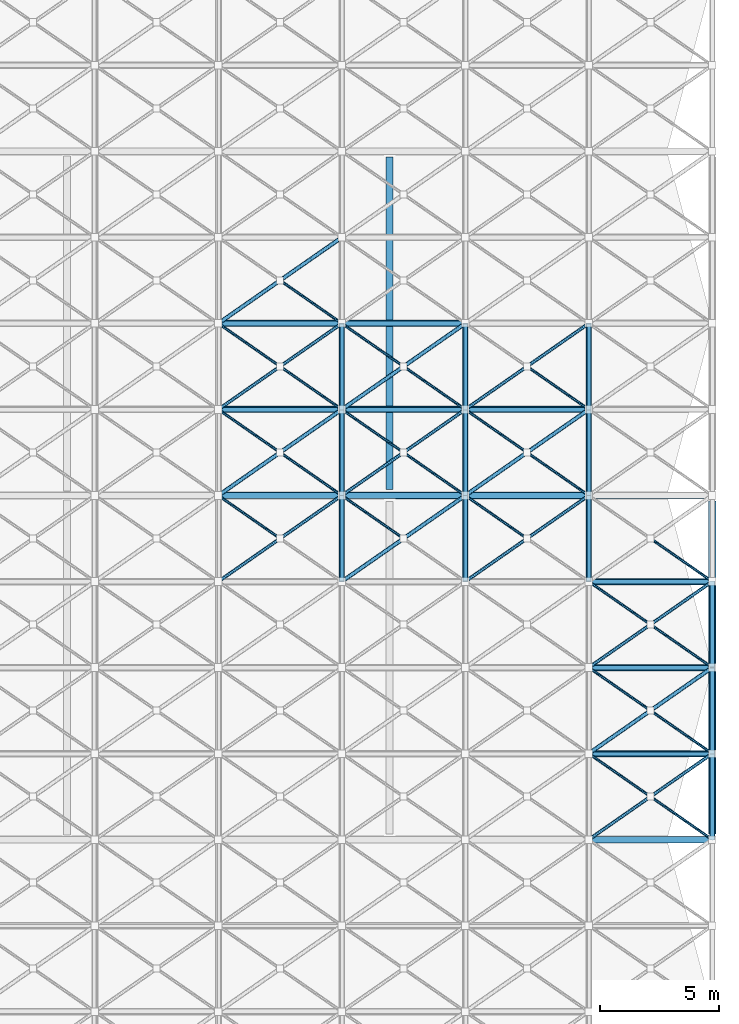
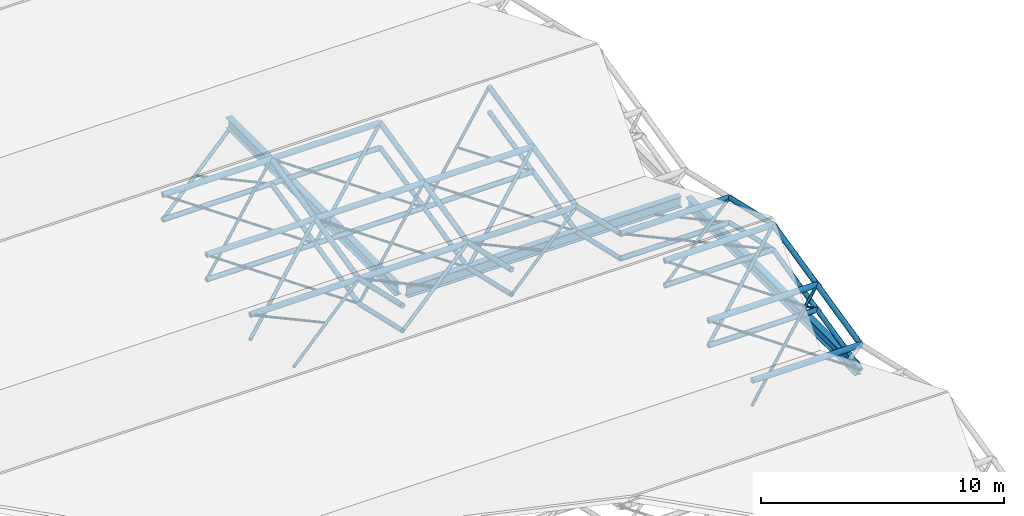
# One storey, part 44 of 110: 79 members, 3 beams.
"""IFC4 building model written with IfcOpenShell, lengths in metres."""

from ifc_helpers import new_model, si_unit, direction, frame, origin, origin_2d, place, context, subcontext, project, spatial, hollow_circle, i_section, extrude, material, material_profile, profile_set, type_object, element, save


model = new_model("IFC4")

# Units and contexts
model_context = context("Model", 3, precision=1e-05, world=origin(), true_north=direction((0.0, 1.0)))
body_context = subcontext(model_context, "Body", "Model", "MODEL_VIEW")
ifc_project = project(units=[si_unit("LENGTHUNIT", "METRE"), si_unit("AREAUNIT", "SQUARE_METRE"), si_unit("VOLUMEUNIT", "CUBIC_METRE"), si_unit("PLANEANGLEUNIT", "RADIAN"), si_unit("MASSUNIT", "GRAM", prefix="KILO")], contexts=[model_context])

# Site, building, storey
site_placement = place(None, origin())
site = spatial("IfcSite", under=ifc_project, at=site_placement, CompositionType="ELEMENT")
building_placement = place(site_placement, origin())
building = spatial("IfcBuilding", under=site, at=building_placement, Name="Tamarisk Ironworks Central Station", CompositionType="ELEMENT")
storey_placement = place(building_placement, frame((0.0, 0.0, 17.39990234375)))
storey = spatial("IfcBuildingStorey", under=building, at=storey_placement, Name="L03", CompositionType="ELEMENT", Elevation=17.39990234375)

# Beams
ifc_material_1 = material(Name="Structural steel S355J2", Category="steel")
ifc_material_profile_1 = material_profile(ifc_material_1, i_section(OverallWidth=0.300048828125, OverallDepth=0.5400390625, WebThickness=0.012451171875, FlangeThickness=0.02392578125, at=origin_2d()), Name="HEA 550")
ifc_profile_set_1 = profile_set([ifc_material_profile_1], Name="Structural steel S355J2")
beam_type = type_object("IfcBeamType", Name="BM-G04", PredefinedType="BEAM", material=ifc_profile_set_1)
beam_1_placement = place(storey_placement, frame((166.741943359375, 50.39990234375, -1.869873046875), z_axis=(1.0, 0.0, 0.0), x_axis=(0.0, 1.0, 0.0)))
element("IfcBeam", 1, at=beam_1_placement, inside=storey, type_object=beam_type, Name="L03 primary girder X-0566", PredefinedType="BEAM", context=body_context, shape_type="SweptSolid", body=[
    extrude(i_section(OverallWidth=0.300048828125, OverallDepth=0.5400390625, WebThickness=0.012451171875, FlangeThickness=0.02392578125, at=origin_2d()), origin(), (0.0, 0.0, 1.0), 13.02001953125),
])
beam_2_placement = place(storey_placement, frame((166.5, 50.64208984375, -1.869873046875), z_axis=(0.0, 1.0, 0.0), x_axis=(-1.0, 0.0, 0.0)))
element("IfcBeam", 2, at=beam_2_placement, inside=storey, type_object=beam_type, Name="L03 primary girder Y-0619", PredefinedType="BEAM", context=body_context, shape_type="SweptSolid", body=[
    extrude(i_section(OverallWidth=0.300048828125, OverallDepth=0.5400390625, WebThickness=0.012451171875, FlangeThickness=0.02392578125, at=origin_2d()), origin(), (0.0, 0.0, 1.0), 13.916015625),
])
beam_3_placement = place(storey_placement, frame((180.0, 36.238037109375, -1.869873046875), z_axis=(0.0, 1.0, 0.0), x_axis=(-1.0, 0.0, 0.0)))
element("IfcBeam", 3, at=beam_3_placement, inside=storey, type_object=beam_type, Name="L03 primary girder Y-0620", PredefinedType="BEAM", context=body_context, shape_type="SweptSolid", body=[
    extrude(i_section(OverallWidth=0.300048828125, OverallDepth=0.5400390625, WebThickness=0.012451171875, FlangeThickness=0.02392578125, at=origin_2d()), origin(), (0.0, 0.0, 1.0), 13.924072265625),
])

# Members
ifc_material_2 = material(Name="Structural steel S355J2H", Category="steel")
ifc_material_profile_2 = material_profile(ifc_material_2, hollow_circle(Radius=0.136474609375, WallThickness=0.012451171875, at=origin_2d()), Name="CHS 273x12.5")
ifc_profile_set_2 = profile_set([ifc_material_profile_2], Name="Structural steel S355J2H")
member_type_1 = type_object("IfcMemberType", Name="MB-SFC01", PredefinedType="CHORD", material=ifc_profile_set_2)
for number, where, z_axis, x_axis, name in (
    (4, (174.833251953125, 36.0, -0.469970703125), (1.0, 0.0, 0.0), (0.0, 1.0, 0.0), "Train shed space-frame top chord 1110"),
    (5, (174.833251953125, 39.60009765625, 0.35498046875), (1.0, 0.0, 0.0), (0.0, 1.0, 0.0), "Train shed space-frame top chord 1358"),
    (6, (174.833251953125, 43.199951171875, 1.18017578125), (1.0, 0.0, 0.0), (0.0, 1.0, 0.0), "Train shed space-frame top chord 1370"),
    (7, (174.833251953125, 46.800048828125, 0.35498046875), (1.0, 0.0, 0.0), (0.0, 1.0, 0.0), "Train shed space-frame top chord 1382"),
    (8, (159.333251953125, 50.39990234375, -0.469970703125), (1.0, 0.0, 0.0), (0.0, 1.0, 0.0), "Train shed space-frame top chord 1391"),
    (9, (164.5, 50.39990234375, -0.469970703125), (1.0, 0.0, 0.0), (0.0, 1.0, 0.0), "Train shed space-frame top chord 1392"),
):
    element("IfcMember", number, at=place(storey_placement, frame(where, z_axis=z_axis, x_axis=x_axis)), inside=storey, type_object=member_type_1, Name=name, PredefinedType="CHORD", context=body_context, shape_type="SweptSolid", body=[
        extrude(hollow_circle(Radius=0.136474609375, WallThickness=0.012451171875, at=origin_2d()), origin(), (0.0, 0.0, 1.0), 5.166748046875),
    ])
member_1_placement = place(storey_placement, frame((169.666748046875, 50.39990234375, -0.469970703125), z_axis=(1.0, 0.0, 0.0), x_axis=(0.0, 1.0, 0.0)))
element("IfcMember", 10, at=member_1_placement, inside=storey, type_object=member_type_1, Name="Train shed space-frame top chord 1393", PredefinedType="CHORD", context=body_context, shape_type="SweptSolid", body=[
    extrude(hollow_circle(Radius=0.136474609375, WallThickness=0.012451171875, at=origin_2d()), origin(), (0.0, 0.0, 1.0), 5.16650390625),
])
for number, where, z_axis, x_axis, name in (
    (11, (159.333251953125, 54.0, 0.35498046875), (1.0, 0.0, 0.0), (0.0, 1.0, 0.0), "Train shed space-frame top chord 1639"),
    (12, (164.5, 54.0, 0.35498046875), (1.0, 0.0, 0.0), (0.0, 1.0, 0.0), "Train shed space-frame top chord 1640"),
):
    element("IfcMember", number, at=place(storey_placement, frame(where, z_axis=z_axis, x_axis=x_axis)), inside=storey, type_object=member_type_1, Name=name, PredefinedType="CHORD", context=body_context, shape_type="SweptSolid", body=[
        extrude(hollow_circle(Radius=0.136474609375, WallThickness=0.012451171875, at=origin_2d()), origin(), (0.0, 0.0, 1.0), 5.166748046875),
    ])
member_2_placement = place(storey_placement, frame((169.666748046875, 54.0, 0.35498046875), z_axis=(1.0, 0.0, 0.0), x_axis=(0.0, 1.0, 0.0)))
element("IfcMember", 13, at=member_2_placement, inside=storey, type_object=member_type_1, Name="Train shed space-frame top chord 1641", PredefinedType="CHORD", context=body_context, shape_type="SweptSolid", body=[
    extrude(hollow_circle(Radius=0.136474609375, WallThickness=0.012451171875, at=origin_2d()), origin(), (0.0, 0.0, 1.0), 5.16650390625),
])
for number, where, z_axis, x_axis, name in (
    (14, (159.333251953125, 57.60009765625, 1.18017578125), (1.0, 0.0, 0.0), (0.0, 1.0, 0.0), "Train shed space-frame top chord 1651"),
    (15, (164.5, 57.60009765625, 1.18017578125), (1.0, 0.0, 0.0), (0.0, 1.0, 0.0), "Train shed space-frame top chord 1652"),
):
    element("IfcMember", number, at=place(storey_placement, frame(where, z_axis=z_axis, x_axis=x_axis)), inside=storey, type_object=member_type_1, Name=name, PredefinedType="CHORD", context=body_context, shape_type="SweptSolid", body=[
        extrude(hollow_circle(Radius=0.136474609375, WallThickness=0.012451171875, at=origin_2d()), origin(), (0.0, 0.0, 1.0), 5.166748046875),
    ])
ifc_material_profile_3 = material_profile(ifc_material_2, hollow_circle(Radius=0.122314453125, WallThickness=0.012451171875, at=origin_2d()), Name="CHS 244.5x12.5")
ifc_profile_set_3 = profile_set([ifc_material_profile_3], Name="Structural steel S355J2H")
member_type_2 = type_object("IfcMemberType", Name="MB-SFC02", PredefinedType="CHORD", material=ifc_profile_set_3)
for number, where, z_axis, x_axis, name in (
    (16, (174.833251953125, 39.60009765625, -0.89501953125), (1.0, 0.0, 0.0), (0.0, 1.0, 0.0), "Train shed space-frame bottom chord 1270"),
    (17, (174.833251953125, 43.199951171875, -0.06982421875), (1.0, 0.0, 0.0), (0.0, 1.0, 0.0), "Train shed space-frame bottom chord 1282"),
    (18, (174.833251953125, 46.800048828125, -0.89501953125), (1.0, 0.0, 0.0), (0.0, 1.0, 0.0), "Train shed space-frame bottom chord 1294"),
):
    element("IfcMember", number, at=place(storey_placement, frame(where, z_axis=z_axis, x_axis=x_axis)), inside=storey, type_object=member_type_2, Name=name, PredefinedType="CHORD", context=body_context, shape_type="SweptSolid", body=[
        extrude(hollow_circle(Radius=0.122314453125, WallThickness=0.012451171875, at=origin_2d()), origin(), (0.0, 0.0, 1.0), 5.166748046875),
    ])
for number, where, z_axis, x_axis, name in (
    (19, (164.5, 46.800048828125, 0.35498046875), (0.0, 0.974733218107, -0.223372230857), (-1.0, 0.0, 0.0), "Train shed space-frame top transverse chord 1434"),
    (20, (169.666748046875, 46.800048828125, 0.35498046875), (0.0, 0.974733218107, -0.223372230857), (-1.0, 0.0, 0.0), "Train shed space-frame top transverse chord 1438"),
    (21, (174.833251953125, 46.800048828125, 0.35498046875), (0.0, 0.974733218107, -0.223372230857), (-1.0, 0.0, 0.0), "Train shed space-frame top transverse chord 1442"),
):
    element("IfcMember", number, at=place(storey_placement, frame(where, z_axis=z_axis, x_axis=x_axis)), inside=storey, type_object=member_type_2, Name=name, PredefinedType="CHORD", context=body_context, shape_type="SweptSolid", body=[
        extrude(hollow_circle(Radius=0.122314453125, WallThickness=0.012451171875, at=origin_2d()), origin(), (0.0, 0.0, 1.0), 3.693115234375),
    ])
member_3_placement = place(storey_placement, frame((180.0, 36.0, -0.469970703125), z_axis=(0.0, 0.974736516158, 0.223357838607), x_axis=(-1.0, 0.0, 0.0)))
element("IfcMember", 22, at=member_3_placement, inside=storey, type_object=member_type_2, Name="Train shed space-frame top transverse chord 1443", PredefinedType="CHORD", context=body_context, shape_type="SweptSolid", body=[
    extrude(hollow_circle(Radius=0.122314453125, WallThickness=0.012451171875, at=origin_2d()), origin(), (0.0, 0.0, 1.0), 3.693359375),
])
member_4_placement = place(storey_placement, frame((180.0, 39.60009765625, 0.35498046875), z_axis=(0.0, 0.974718823144, 0.223435037113), x_axis=(-1.0, 0.0, 0.0)))
element("IfcMember", 23, at=member_4_placement, inside=storey, type_object=member_type_2, Name="Train shed space-frame top transverse chord 1444", PredefinedType="CHORD", context=body_context, shape_type="SweptSolid", body=[
    extrude(hollow_circle(Radius=0.122314453125, WallThickness=0.012451171875, at=origin_2d()), origin(), (0.0, 0.0, 1.0), 3.693115234375),
])
member_5_placement = place(storey_placement, frame((180.0, 43.199951171875, 1.18017578125), z_axis=(0.0, 0.974722123001, -0.223420641241), x_axis=(-1.0, 0.0, 0.0)))
element("IfcMember", 24, at=member_5_placement, inside=storey, type_object=member_type_2, Name="Train shed space-frame top transverse chord 1445", PredefinedType="CHORD", context=body_context, shape_type="SweptSolid", body=[
    extrude(hollow_circle(Radius=0.122314453125, WallThickness=0.012451171875, at=origin_2d()), origin(), (0.0, 0.0, 1.0), 3.693359375),
])
for number, where, z_axis, x_axis, name in (
    (25, (159.333251953125, 54.0, -0.89501953125), (1.0, 0.0, 0.0), (0.0, 1.0, 0.0), "Train shed space-frame bottom chord 1551"),
    (26, (164.5, 54.0, -0.89501953125), (1.0, 0.0, 0.0), (0.0, 1.0, 0.0), "Train shed space-frame bottom chord 1552"),
):
    element("IfcMember", number, at=place(storey_placement, frame(where, z_axis=z_axis, x_axis=x_axis)), inside=storey, type_object=member_type_2, Name=name, PredefinedType="CHORD", context=body_context, shape_type="SweptSolid", body=[
        extrude(hollow_circle(Radius=0.122314453125, WallThickness=0.012451171875, at=origin_2d()), origin(), (0.0, 0.0, 1.0), 5.166748046875),
    ])
member_6_placement = place(storey_placement, frame((169.666748046875, 54.0, -0.89501953125), z_axis=(1.0, 0.0, 0.0), x_axis=(0.0, 1.0, 0.0)))
element("IfcMember", 27, at=member_6_placement, inside=storey, type_object=member_type_2, Name="Train shed space-frame bottom chord 1553", PredefinedType="CHORD", context=body_context, shape_type="SweptSolid", body=[
    extrude(hollow_circle(Radius=0.122314453125, WallThickness=0.012451171875, at=origin_2d()), origin(), (0.0, 0.0, 1.0), 5.16650390625),
])
for number, where, z_axis, x_axis, name in (
    (28, (159.333251953125, 57.60009765625, -0.06982421875), (1.0, 0.0, 0.0), (0.0, 1.0, 0.0), "Train shed space-frame bottom chord 1563"),
    (29, (164.5, 57.60009765625, -0.06982421875), (1.0, 0.0, 0.0), (0.0, 1.0, 0.0), "Train shed space-frame bottom chord 1564"),
):
    element("IfcMember", number, at=place(storey_placement, frame(where, z_axis=z_axis, x_axis=x_axis)), inside=storey, type_object=member_type_2, Name=name, PredefinedType="CHORD", context=body_context, shape_type="SweptSolid", body=[
        extrude(hollow_circle(Radius=0.122314453125, WallThickness=0.012451171875, at=origin_2d()), origin(), (0.0, 0.0, 1.0), 5.166748046875),
    ])
for number, where, z_axis, x_axis, name in (
    (30, (164.5, 50.39990234375, -0.469970703125), (0.0, 0.974736516158, 0.223357838607), (-1.0, 0.0, 0.0), "Train shed space-frame top transverse chord 1715"),
    (31, (164.5, 54.0, 0.35498046875), (0.0, 0.974722123001, 0.223420641241), (-1.0, 0.0, 0.0), "Train shed space-frame top transverse chord 1716"),
    (32, (169.666748046875, 50.39990234375, -0.469970703125), (0.0, 0.974736516158, 0.223357838607), (-1.0, 0.0, 0.0), "Train shed space-frame top transverse chord 1719"),
    (33, (169.666748046875, 54.0, 0.35498046875), (0.0, 0.974722123001, 0.223420641241), (-1.0, 0.0, 0.0), "Train shed space-frame top transverse chord 1720"),
    (34, (174.833251953125, 50.39990234375, -0.469970703125), (0.0, 0.974736516158, 0.223357838607), (-1.0, 0.0, 0.0), "Train shed space-frame top transverse chord 1723"),
    (35, (174.833251953125, 54.0, 0.35498046875), (0.0, 0.974722123001, 0.223420641241), (-1.0, 0.0, 0.0), "Train shed space-frame top transverse chord 1724"),
):
    element("IfcMember", number, at=place(storey_placement, frame(where, z_axis=z_axis, x_axis=x_axis)), inside=storey, type_object=member_type_2, Name=name, PredefinedType="CHORD", context=body_context, shape_type="SweptSolid", body=[
        extrude(hollow_circle(Radius=0.122314453125, WallThickness=0.012451171875, at=origin_2d()), origin(), (0.0, 0.0, 1.0), 3.693359375),
    ])
ifc_material_profile_4 = material_profile(ifc_material_2, hollow_circle(Radius=0.109619140625, WallThickness=0.010009765625, at=origin_2d()), Name="CHS 219.1x10")
ifc_profile_set_4 = profile_set([ifc_material_profile_4], Name="Structural steel S355J2H")
member_type_3 = type_object("IfcMemberType", Name="MB-SFC03", PredefinedType="CHORD", material=ifc_profile_set_4)
for number, where, z_axis, x_axis, name in (
    (36, (164.5, 46.800048828125, -0.89501953125), (0.0, 0.974733218107, -0.223372230857), (-1.0, 0.0, 0.0), "Train shed space-frame transverse chord 1334"),
    (37, (169.666748046875, 46.800048828125, -0.89501953125), (0.0, 0.974733218107, -0.223372230857), (-1.0, 0.0, 0.0), "Train shed space-frame transverse chord 1338"),
    (38, (174.833251953125, 46.800048828125, -0.89501953125), (0.0, 0.974733218107, -0.223372230857), (-1.0, 0.0, 0.0), "Train shed space-frame transverse chord 1342"),
):
    element("IfcMember", number, at=place(storey_placement, frame(where, z_axis=z_axis, x_axis=x_axis)), inside=storey, type_object=member_type_3, Name=name, PredefinedType="CHORD", context=body_context, shape_type="SweptSolid", body=[
        extrude(hollow_circle(Radius=0.109619140625, WallThickness=0.010009765625, at=origin_2d()), origin(), (0.0, 0.0, 1.0), 3.693115234375),
    ])
member_7_placement = place(storey_placement, frame((180.0, 36.0, -1.719970703125), z_axis=(0.0, 0.974736516158, 0.223357838607), x_axis=(-1.0, 0.0, 0.0)))
element("IfcMember", 39, at=member_7_placement, inside=storey, type_object=member_type_3, Name="Train shed space-frame transverse chord 1343", PredefinedType="CHORD", context=body_context, shape_type="SweptSolid", body=[
    extrude(hollow_circle(Radius=0.109619140625, WallThickness=0.010009765625, at=origin_2d()), origin(), (0.0, 0.0, 1.0), 3.693359375),
])
member_8_placement = place(storey_placement, frame((180.0, 39.60009765625, -0.89501953125), z_axis=(0.0, 0.974718823144, 0.223435037113), x_axis=(-1.0, 0.0, 0.0)))
element("IfcMember", 40, at=member_8_placement, inside=storey, type_object=member_type_3, Name="Train shed space-frame transverse chord 1344", PredefinedType="CHORD", context=body_context, shape_type="SweptSolid", body=[
    extrude(hollow_circle(Radius=0.109619140625, WallThickness=0.010009765625, at=origin_2d()), origin(), (0.0, 0.0, 1.0), 3.693115234375),
])
for number, where, z_axis, x_axis, name in (
    (41, (180.0, 43.199951171875, -0.06982421875), (0.0, 0.974722123001, -0.223420641241), (-1.0, 0.0, 0.0), "Train shed space-frame transverse chord 1345"),
    (42, (164.5, 50.39990234375, -1.719970703125), (0.0, 0.974736516158, 0.223357838607), (-1.0, 0.0, 0.0), "Train shed space-frame transverse chord 1615"),
    (43, (164.5, 54.0, -0.89501953125), (0.0, 0.974722123001, 0.223420641241), (-1.0, 0.0, 0.0), "Train shed space-frame transverse chord 1616"),
    (44, (169.666748046875, 50.39990234375, -1.719970703125), (0.0, 0.974736516158, 0.223357838607), (-1.0, 0.0, 0.0), "Train shed space-frame transverse chord 1619"),
    (45, (169.666748046875, 54.0, -0.89501953125), (0.0, 0.974722123001, 0.223420641241), (-1.0, 0.0, 0.0), "Train shed space-frame transverse chord 1620"),
    (46, (174.833251953125, 50.39990234375, -1.719970703125), (0.0, 0.974736516158, 0.223357838607), (-1.0, 0.0, 0.0), "Train shed space-frame transverse chord 1623"),
    (47, (174.833251953125, 54.0, -0.89501953125), (0.0, 0.974722123001, 0.223420641241), (-1.0, 0.0, 0.0), "Train shed space-frame transverse chord 1624"),
):
    element("IfcMember", number, at=place(storey_placement, frame(where, z_axis=z_axis, x_axis=x_axis)), inside=storey, type_object=member_type_3, Name=name, PredefinedType="CHORD", context=body_context, shape_type="SweptSolid", body=[
        extrude(hollow_circle(Radius=0.109619140625, WallThickness=0.010009765625, at=origin_2d()), origin(), (0.0, 0.0, 1.0), 3.693359375),
    ])
ifc_material_profile_5 = material_profile(ifc_material_2, hollow_circle(Radius=0.084228515625, WallThickness=0.010009765625, at=origin_2d()), Name="CHS 168.3x10")
ifc_profile_set_5 = profile_set([ifc_material_profile_5], Name="Structural steel S355J2H")
member_type_4 = type_object("IfcMemberType", Name="MB-SFD01", PredefinedType="BRACE", material=ifc_profile_set_5)
member_9_placement = place(storey_placement, frame((164.5, 46.800048828125, -0.89501953125), z_axis=(0.818625810636, 0.570365145671, 0.067345250499), x_axis=(-0.57166297408, 0.820488539875, 0.0)))
element("IfcMember", 48, at=member_9_placement, inside=storey, type_object=member_type_4, Name="Train shed space-frame diagonal 1525", PredefinedType="BRACE", context=body_context, shape_type="SweptSolid", body=[
    extrude(hollow_circle(Radius=0.084228515625, WallThickness=0.010009765625, at=origin_2d()), origin(), (0.0, 0.0, 1.0), 6.3115234375),
])
for number, where, z_axis, x_axis, name in (
    (49, (174.833251953125, 39.60009765625, -0.89501953125), (0.779264964314, 0.542941071625, 0.312987392934), (-0.57166297408, 0.820488539875, 0.0), "Train shed space-frame diagonal 1537"),
    (50, (159.333251953125, 50.39990234375, -1.719970703125), (0.77925836502, 0.542973295402, 0.312947920631), (-0.571689073201, 0.82047035509, 0.0), "Train shed space-frame diagonal 1795"),
):
    element("IfcMember", number, at=place(storey_placement, frame(where, z_axis=z_axis, x_axis=x_axis)), inside=storey, type_object=member_type_4, Name=name, PredefinedType="BRACE", context=body_context, shape_type="SweptSolid", body=[
        extrude(hollow_circle(Radius=0.084228515625, WallThickness=0.010009765625, at=origin_2d()), origin(), (0.0, 0.0, 1.0), 6.63037109375),
    ])
member_10_placement = place(storey_placement, frame((159.333251953125, 57.60009765625, -0.06982421875), z_axis=(0.818627942589, 0.570366631076, 0.06730674385), x_axis=(-0.57166297408, 0.820488539875, 0.0)))
element("IfcMember", 51, at=member_10_placement, inside=storey, type_object=member_type_4, Name="Train shed space-frame diagonal 1799", PredefinedType="BRACE", context=body_context, shape_type="SweptSolid", body=[
    extrude(hollow_circle(Radius=0.084228515625, WallThickness=0.010009765625, at=origin_2d()), origin(), (0.0, 0.0, 1.0), 6.3115234375),
])
member_11_placement = place(storey_placement, frame((164.5, 54.0, -0.89501953125), z_axis=(0.779249385031, 0.542967038306, 0.312981135603), x_axis=(-0.571689073201, 0.82047035509, 0.0)))
element("IfcMember", 52, at=member_11_placement, inside=storey, type_object=member_type_4, Name="Train shed space-frame diagonal 1805", PredefinedType="BRACE", context=body_context, shape_type="SweptSolid", body=[
    extrude(hollow_circle(Radius=0.084228515625, WallThickness=0.010009765625, at=origin_2d()), origin(), (0.0, 0.0, 1.0), 6.63037109375),
])
member_12_placement = place(storey_placement, frame((169.666748046875, 50.39990234375, -1.719970703125), z_axis=(0.779243902426, 0.542988875587, 0.312956900421), x_axis=(-0.571707258436, 0.820457683645, 0.0)))
element("IfcMember", 53, at=member_12_placement, inside=storey, type_object=member_type_4, Name="Train shed space-frame diagonal 1811", PredefinedType="BRACE", context=body_context, shape_type="SweptSolid", body=[
    extrude(hollow_circle(Radius=0.084228515625, WallThickness=0.010009765625, at=origin_2d()), origin(), (0.0, 0.0, 1.0), 6.630126953125),
])
ifc_material_profile_6 = material_profile(ifc_material_2, hollow_circle(Radius=0.06982421875, WallThickness=0.008056640625, at=origin_2d()), Name="CHS 139.7x8")
ifc_profile_set_6 = profile_set([ifc_material_profile_6], Name="Structural steel S355J2H")
member_type_5 = type_object("IfcMemberType", Name="MB-SFD02", PredefinedType="BRACE", material=ifc_profile_set_6)
member_13_placement = place(storey_placement, frame((159.333251953125, 46.800048828125, -0.89501953125), z_axis=(0.818625810636, 0.570365145671, 0.067345250499), x_axis=(-0.57166297408, 0.820488539875, 0.0)))
element("IfcMember", 54, at=member_13_placement, inside=storey, type_object=member_type_5, Name="Train shed space-frame diagonal 1517", PredefinedType="BRACE", context=body_context, shape_type="SweptSolid", body=[
    extrude(hollow_circle(Radius=0.06982421875, WallThickness=0.008056640625, at=origin_2d()), origin(), (0.0, 0.0, 1.0), 6.3115234375),
])
member_14_placement = place(storey_placement, frame((169.666748046875, 46.800048828125, -0.89501953125), z_axis=(0.818613050724, 0.570383207302, 0.067347383107), x_axis=(-0.571681159291, 0.820475869305, 0.0)))
element("IfcMember", 55, at=member_14_placement, inside=storey, type_object=member_type_5, Name="Train shed space-frame diagonal 1533", PredefinedType="BRACE", context=body_context, shape_type="SweptSolid", body=[
    extrude(hollow_circle(Radius=0.06982421875, WallThickness=0.008056640625, at=origin_2d()), origin(), (0.0, 0.0, 1.0), 6.311279296875),
])
member_15_placement = place(storey_placement, frame((174.833251953125, 36.0, -1.719970703125), z_axis=(0.77925836502, 0.542973295402, 0.312947920631), x_axis=(-0.571689073201, 0.82047035509, 0.0)))
element("IfcMember", 56, at=member_15_placement, inside=storey, type_object=member_type_5, Name="Train shed space-frame diagonal 1535", PredefinedType="BRACE", context=body_context, shape_type="SweptSolid", body=[
    extrude(hollow_circle(Radius=0.06982421875, WallThickness=0.008056640625, at=origin_2d()), origin(), (0.0, 0.0, 1.0), 6.63037109375),
])
member_16_placement = place(storey_placement, frame((174.833251953125, 43.199951171875, -0.06982421875), z_axis=(0.818609881232, 0.570392728283, 0.067305258864), x_axis=(-0.571689073201, 0.82047035509, 0.0)))
element("IfcMember", 57, at=member_16_placement, inside=storey, type_object=member_type_5, Name="Train shed space-frame diagonal 1539", PredefinedType="BRACE", context=body_context, shape_type="SweptSolid", body=[
    extrude(hollow_circle(Radius=0.06982421875, WallThickness=0.008056640625, at=origin_2d()), origin(), (0.0, 0.0, 1.0), 6.3115234375),
])
for number, where, z_axis, x_axis, name in (
    (58, (159.333251953125, 54.0, -0.89501953125), (0.779249385031, 0.542967038306, 0.312981135603), (-0.571689073201, 0.82047035509, 0.0), "Train shed space-frame diagonal 1797"),
    (59, (164.5, 50.39990234375, -1.719970703125), (0.77925836502, 0.542973295402, 0.312947920631), (-0.571689073201, 0.82047035509, 0.0), "Train shed space-frame diagonal 1803"),
):
    element("IfcMember", number, at=place(storey_placement, frame(where, z_axis=z_axis, x_axis=x_axis)), inside=storey, type_object=member_type_5, Name=name, PredefinedType="BRACE", context=body_context, shape_type="SweptSolid", body=[
        extrude(hollow_circle(Radius=0.06982421875, WallThickness=0.008056640625, at=origin_2d()), origin(), (0.0, 0.0, 1.0), 6.63037109375),
    ])
member_17_placement = place(storey_placement, frame((169.666748046875, 54.0, -0.89501953125), z_axis=(0.779234922088, 0.542982617952, 0.31299011614), x_axis=(-0.571707258436, 0.820457683645, 0.0)))
element("IfcMember", 60, at=member_17_placement, inside=storey, type_object=member_type_5, Name="Train shed space-frame diagonal 1813", PredefinedType="BRACE", context=body_context, shape_type="SweptSolid", body=[
    extrude(hollow_circle(Radius=0.06982421875, WallThickness=0.008056640625, at=origin_2d()), origin(), (0.0, 0.0, 1.0), 6.630126953125),
])
ifc_material_profile_7 = material_profile(ifc_material_2, hollow_circle(Radius=0.05712890625, WallThickness=0.00634765625, at=origin_2d()), Name="CHS 114.3x6.3")
ifc_profile_set_7 = profile_set([ifc_material_profile_7], Name="Structural steel S355J2H")
member_type_6 = type_object("IfcMemberType", Name="MB-SFD03", PredefinedType="BRACE", material=ifc_profile_set_7)
for number, where, z_axis, x_axis, name in (
    (61, (161.87158203125, 48.63134765625, -0.6787109375), (-0.81862545828, 0.570368646704, 0.067319877544), (-0.571665501983, -0.820486778591, 0.0), "Train shed space-frame split counter-diagonal upper 1518"),
    (62, (167.038330078125, 48.63134765625, -0.6787109375), (-0.81862545828, 0.570368646704, 0.067319877544), (-0.571665501983, -0.820486778591, 0.0), "Train shed space-frame split counter-diagonal upper 1526"),
    (63, (172.205078125, 48.63134765625, -0.6787109375), (-0.81862545828, 0.570368646704, 0.067319877544), (-0.571665501983, -0.820486778591, 0.0), "Train shed space-frame split counter-diagonal upper 1534"),
):
    element("IfcMember", number, at=place(storey_placement, frame(where, z_axis=z_axis, x_axis=x_axis)), inside=storey, type_object=member_type_6, Name=name, PredefinedType="BRACE", context=body_context, shape_type="SweptSolid", body=[
        extrude(hollow_circle(Radius=0.05712890625, WallThickness=0.00634765625, at=origin_2d()), origin(), (0.0, 0.0, 1.0), 3.100830078125),
    ])
member_18_placement = place(storey_placement, frame((180.0, 36.0, -1.719970703125), z_axis=(-0.779251958926, 0.542967486998, 0.312973948712), x_axis=(-0.571688120068, -0.820471019216, 0.0)))
element("IfcMember", 64, at=member_18_placement, inside=storey, type_object=member_type_6, Name="Train shed space-frame split counter-diagonal lower 1536", PredefinedType="BRACE", context=body_context, shape_type="SweptSolid", body=[
    extrude(hollow_circle(Radius=0.05712890625, WallThickness=0.00634765625, at=origin_2d()), origin(), (0.0, 0.0, 1.0), 3.260009765625),
])
member_19_placement = place(storey_placement, frame((177.373779296875, 37.829833984375, -0.665283203125), z_axis=(-0.779249686219, 0.542988609915, 0.312942959707), x_axis=(-0.571704213709, -0.820459805248, 0.0)))
element("IfcMember", 65, at=member_19_placement, inside=storey, type_object=member_type_6, Name="Train shed space-frame split counter-diagonal upper 1536", PredefinedType="BRACE", context=body_context, shape_type="SweptSolid", body=[
    extrude(hollow_circle(Radius=0.05712890625, WallThickness=0.00634765625, at=origin_2d()), origin(), (0.0, 0.0, 1.0), 3.26025390625),
])
for number, where, z_axis, x_axis, name in (
    (66, (180.0, 39.60009765625, -0.89501953125), (-0.779233692289, 0.542954759164, 0.313041502525), (-0.571688120068, -0.820471019216, 0.0), "Train shed space-frame split counter-diagonal lower 1538"),
    (67, (177.373779296875, 41.429931640625, 0.159912109375), (-0.779281371438, 0.542935800781, 0.31295568434), (-0.571651135352, -0.820496788203, 0.0), "Train shed space-frame split counter-diagonal upper 1538"),
):
    element("IfcMember", number, at=place(storey_placement, frame(where, z_axis=z_axis, x_axis=x_axis)), inside=storey, type_object=member_type_6, Name=name, PredefinedType="BRACE", context=body_context, shape_type="SweptSolid", body=[
        extrude(hollow_circle(Radius=0.05712890625, WallThickness=0.00634765625, at=origin_2d()), origin(), (0.0, 0.0, 1.0), 3.260009765625),
    ])
for number, where, z_axis, x_axis, name in (
    (68, (180.0, 43.199951171875, -0.06982421875), (-0.81862545828, 0.570368646704, 0.067319877544), (-0.571665501983, -0.820486778591, 0.0), "Train shed space-frame split counter-diagonal lower 1540"),
    (69, (177.37158203125, 45.031494140625, 0.146240234375), (-0.81862545828, 0.570368646704, 0.067319877544), (-0.571665501983, -0.820486778591, 0.0), "Train shed space-frame split counter-diagonal upper 1540"),
    (70, (180.0, 46.800048828125, -0.89501953125), (-0.818621116616, 0.570365621695, 0.067398256788), (-0.571665501983, -0.820486778591, 0.0), "Train shed space-frame split counter-diagonal lower 1542"),
):
    element("IfcMember", number, at=place(storey_placement, frame(where, z_axis=z_axis, x_axis=x_axis)), inside=storey, type_object=member_type_6, Name=name, PredefinedType="BRACE", context=body_context, shape_type="SweptSolid", body=[
        extrude(hollow_circle(Radius=0.05712890625, WallThickness=0.00634765625, at=origin_2d()), origin(), (0.0, 0.0, 1.0), 3.100830078125),
    ])
for number, where, z_axis, x_axis, name in (
    (71, (164.5, 50.39990234375, -1.719970703125), (-0.779220271205, 0.543020296637, 0.312961221852), (-0.571741198525, -0.820434032637, 0.0), "Train shed space-frame split counter-diagonal lower 1796"),
    (72, (161.873779296875, 52.22998046875, -0.665283203125), (-0.779281371438, 0.542935800781, 0.31295568434), (-0.571651135352, -0.820496788203, 0.0), "Train shed space-frame split counter-diagonal upper 1796"),
    (73, (164.5, 54.0, -0.89501953125), (-0.779233692289, 0.542954759164, 0.313041502525), (-0.571688120068, -0.820471019216, 0.0), "Train shed space-frame split counter-diagonal lower 1798"),
):
    element("IfcMember", number, at=place(storey_placement, frame(where, z_axis=z_axis, x_axis=x_axis)), inside=storey, type_object=member_type_6, Name=name, PredefinedType="BRACE", context=body_context, shape_type="SweptSolid", body=[
        extrude(hollow_circle(Radius=0.05712890625, WallThickness=0.00634765625, at=origin_2d()), origin(), (0.0, 0.0, 1.0), 3.260009765625),
    ])
member_20_placement = place(storey_placement, frame((161.873779296875, 55.829833984375, 0.159912109375), z_axis=(-0.779249686219, 0.542988609915, 0.312942959707), x_axis=(-0.571704213709, -0.820459805248, 0.0)))
element("IfcMember", 74, at=member_20_placement, inside=storey, type_object=member_type_6, Name="Train shed space-frame split counter-diagonal upper 1798", PredefinedType="BRACE", context=body_context, shape_type="SweptSolid", body=[
    extrude(hollow_circle(Radius=0.05712890625, WallThickness=0.00634765625, at=origin_2d()), origin(), (0.0, 0.0, 1.0), 3.26025390625),
])
member_21_placement = place(storey_placement, frame((164.5, 57.60009765625, -0.06982421875), z_axis=(-0.81862545828, 0.570368646704, 0.067319877544), x_axis=(-0.571665501983, -0.820486778591, 0.0)))
element("IfcMember", 75, at=member_21_placement, inside=storey, type_object=member_type_6, Name="Train shed space-frame split counter-diagonal lower 1800", PredefinedType="BRACE", context=body_context, shape_type="SweptSolid", body=[
    extrude(hollow_circle(Radius=0.05712890625, WallThickness=0.00634765625, at=origin_2d()), origin(), (0.0, 0.0, 1.0), 3.100830078125),
])
member_22_placement = place(storey_placement, frame((169.666748046875, 50.39990234375, -1.719970703125), z_axis=(-0.779249686219, 0.542988609915, 0.312942959707), x_axis=(-0.571704213709, -0.820459805248, 0.0)))
element("IfcMember", 76, at=member_22_placement, inside=storey, type_object=member_type_6, Name="Train shed space-frame split counter-diagonal lower 1804", PredefinedType="BRACE", context=body_context, shape_type="SweptSolid", body=[
    extrude(hollow_circle(Radius=0.05712890625, WallThickness=0.00634765625, at=origin_2d()), origin(), (0.0, 0.0, 1.0), 3.26025390625),
])
member_23_placement = place(storey_placement, frame((167.040283203125, 52.22998046875, -0.665283203125), z_axis=(-0.779251958926, 0.542967486998, 0.312973948712), x_axis=(-0.571688120068, -0.820471019216, 0.0)))
element("IfcMember", 77, at=member_23_placement, inside=storey, type_object=member_type_6, Name="Train shed space-frame split counter-diagonal upper 1804", PredefinedType="BRACE", context=body_context, shape_type="SweptSolid", body=[
    extrude(hollow_circle(Radius=0.05712890625, WallThickness=0.00634765625, at=origin_2d()), origin(), (0.0, 0.0, 1.0), 3.260009765625),
])
member_24_placement = place(storey_placement, frame((169.666748046875, 54.0, -0.89501953125), z_axis=(-0.779263106243, 0.542923075174, 0.313023235066), x_axis=(-0.571651135352, -0.820496788203, 0.0)))
element("IfcMember", 78, at=member_24_placement, inside=storey, type_object=member_type_6, Name="Train shed space-frame split counter-diagonal lower 1806", PredefinedType="BRACE", context=body_context, shape_type="SweptSolid", body=[
    extrude(hollow_circle(Radius=0.05712890625, WallThickness=0.00634765625, at=origin_2d()), origin(), (0.0, 0.0, 1.0), 3.26025390625),
])
for number, where, z_axis, x_axis, name in (
    (79, (167.040283203125, 55.829833984375, 0.159912109375), (-0.779220271205, 0.543020296637, 0.312961221852), (-0.571741198525, -0.820434032637, 0.0), "Train shed space-frame split counter-diagonal upper 1806"),
    (80, (174.833251953125, 50.39990234375, -1.719970703125), (-0.779220271205, 0.543020296637, 0.312961221852), (-0.571741198525, -0.820434032637, 0.0), "Train shed space-frame split counter-diagonal lower 1812"),
    (81, (172.20703125, 52.22998046875, -0.665283203125), (-0.779251958926, 0.542967486998, 0.312973948712), (-0.571688120068, -0.820471019216, 0.0), "Train shed space-frame split counter-diagonal upper 1812"),
    (82, (174.833251953125, 54.0, -0.89501953125), (-0.779233692289, 0.542954759164, 0.313041502525), (-0.571688120068, -0.820471019216, 0.0), "Train shed space-frame split counter-diagonal lower 1814"),
):
    element("IfcMember", number, at=place(storey_placement, frame(where, z_axis=z_axis, x_axis=x_axis)), inside=storey, type_object=member_type_6, Name=name, PredefinedType="BRACE", context=body_context, shape_type="SweptSolid", body=[
        extrude(hollow_circle(Radius=0.05712890625, WallThickness=0.00634765625, at=origin_2d()), origin(), (0.0, 0.0, 1.0), 3.260009765625),
    ])

save(model, "model.ifc")
